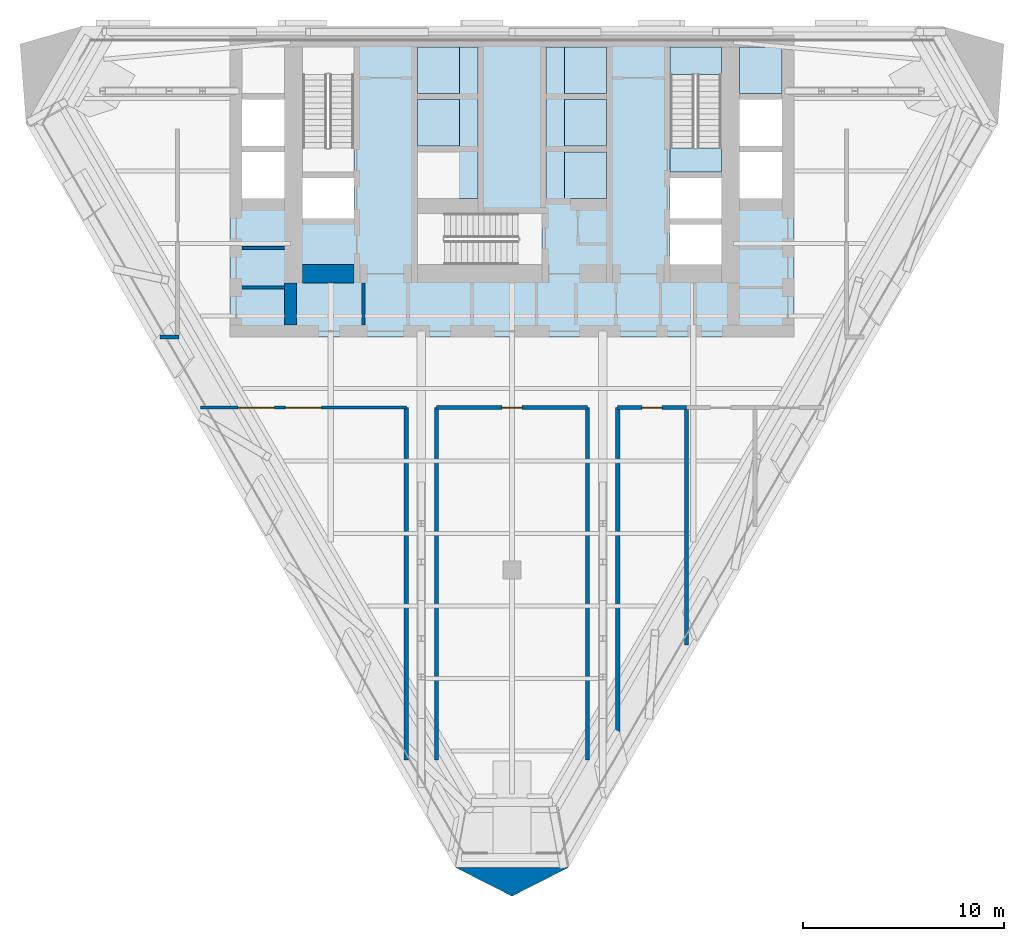
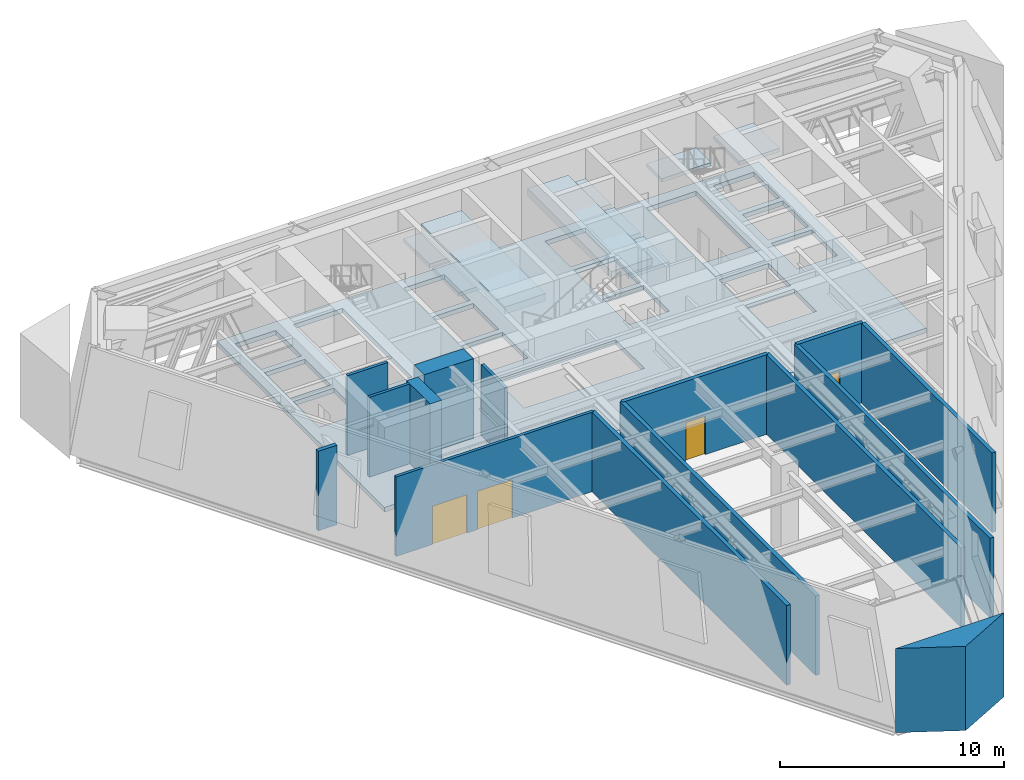
# One storey, part 3 of 12: 15 walls, 11 slabs, 4 doors, 4 openings, 1 element without a shape of its own.
"""IFC4 building model written with IfcOpenShell, lengths in metres."""

from ifc_helpers import new_model, si_unit, direction, frame, frame_2d, origin, place, context, subcontext, project, spatial, polyline, rectangle, outline, extrude, material, layer, layer_set, type_object, element, fill, aggregate, save


model = new_model("IFC4")

# Units and contexts
model_context = context("Model", 3, precision=1e-05, world=origin(), true_north=direction((0.0, 1.0)))
body_context = subcontext(model_context, "Body", "Model", "MODEL_VIEW")
ifc_project = project(units=[si_unit("LENGTHUNIT", "METRE"), si_unit("AREAUNIT", "SQUARE_METRE"), si_unit("VOLUMEUNIT", "CUBIC_METRE"), si_unit("PLANEANGLEUNIT", "RADIAN"), si_unit("MASSUNIT", "GRAM", prefix="KILO")], contexts=[model_context])

# Site, building, storey
site_placement = place(None, origin())
site = spatial("IfcSite", under=ifc_project, at=site_placement, CompositionType="ELEMENT")
building_placement = place(site_placement, origin())
building = spatial("IfcBuilding", under=site, at=building_placement, Name="Aloe Facet Convention Tower", CompositionType="ELEMENT")
storey_placement = place(building_placement, frame((0.0, 0.0, 123.800048828125)))
storey = spatial("IfcBuildingStorey", under=building, at=storey_placement, Name="L31", CompositionType="ELEMENT", Elevation=123.800048828125)

# Slabs
ifc_material_1 = material(Name="Concrete C70/85", Category="concrete")
ifc_layer_1 = layer(ifc_material_1, 0.25)
ifc_layer_set_1 = layer_set([ifc_layer_1], Name="CR-S-FLOOR250-C7085")
slab_type_1 = type_object("IfcSlabType", Name="CR-S-FLOOR250-C7085", PredefinedType="FLOOR", material=ifc_layer_set_1)
slab_1_placement = place(storey_placement, frame((0.0, 0.0, -0.25)))
element("IfcSlab", 1, at=slab_1_placement, inside=storey, type_object=slab_type_1, Name="Core floor L31", PredefinedType="FLOOR", context=body_context, shape_type="SweptSolid", body=[
    extrude(outline(polyline([(69.300048828125, 134.550048828125), (71.85009765625, 134.550048828125), (72.75, 134.550048828125), (74.699951171875, 134.550048828125), (75.60009765625, 134.550048828125), (78.0, 134.550048828125), (78.89990234375, 134.550048828125), (81.10009765625, 134.550048828125), (82.0, 134.550048828125), (84.39990234375, 134.550048828125), (85.300048828125, 134.550048828125), (87.25, 134.550048828125), (88.14990234375, 134.550048828125), (90.699951171875, 134.550048828125), (91.0, 134.550048828125), (94.0, 134.550048828125), (94.0, 131.949951171875), (94.0, 131.050048828125), (94.0, 129.35009765625), (94.0, 128.449951171875), (94.0, 126.449951171875), (94.0, 125.85009765625), (94.0, 124.5), (94.0, 123.449951171875), (94.0, 122.550048828125), (94.0, 121.5), (94.0, 119.550048828125), (90.699951171875, 119.550048828125), (89.60009765625, 119.550048828125), (88.550048828125, 119.550048828125), (87.89990234375, 119.550048828125), (86.85009765625, 119.550048828125), (85.699951171875, 119.550048828125), (84.64990234375, 119.550048828125), (83.699951171875, 119.550048828125), (82.64990234375, 119.550048828125), (81.75, 119.550048828125), (80.699951171875, 119.550048828125), (78.550048828125, 119.550048828125), (77.5, 119.550048828125), (75.35009765625, 119.550048828125), (74.300048828125, 119.550048828125), (73.14990234375, 119.550048828125), (72.10009765625, 119.550048828125), (69.300048828125, 119.550048828125), (66.0, 119.550048828125), (66.0, 121.5), (66.0, 122.550048828125), (66.0, 123.449951171875), (66.0, 124.5), (66.0, 125.85009765625), (66.0, 126.449951171875), (66.0, 128.449951171875), (66.0, 129.35009765625), (66.0, 131.050048828125), (66.0, 131.949951171875), (66.0, 134.550048828125), (69.0, 134.550048828125), (69.300048828125, 134.550048828125)]), holes=[polyline([(75.300048828125, 123.14990234375), (80.298828125, 123.14990234375), (81.5, 123.14990234375), (81.5, 125.699951171875), (80.298828125, 125.699951171875), (75.300048828125, 125.699951171875), (75.300048828125, 123.14990234375)]), polyline([(69.60009765625, 125.449951171875), (72.14990234375, 125.449951171875), (72.14990234375, 127.449951171875), (69.60009765625, 127.449951171875), (69.60009765625, 125.449951171875)]), polyline([(66.60009765625, 126.449951171875), (68.699951171875, 126.449951171875), (68.699951171875, 128.75), (66.60009765625, 128.75), (66.60009765625, 126.449951171875)]), polyline([(77.39990234375, 126.449951171875), (77.39990234375, 128.75), (75.300048828125, 128.75), (75.300048828125, 126.449951171875), (77.39990234375, 126.449951171875)]), polyline([(66.60009765625, 129.050048828125), (68.699951171875, 129.050048828125), (68.699951171875, 131.35009765625), (66.60009765625, 131.35009765625), (66.60009765625, 129.050048828125)]), polyline([(77.39990234375, 129.050048828125), (77.39990234375, 131.35009765625), (75.300048828125, 131.35009765625), (75.300048828125, 129.050048828125), (77.39990234375, 129.050048828125)]), polyline([(69.60009765625, 133.949951171875), (69.60009765625, 128.951171875), (69.60009765625, 127.75), (72.14990234375, 127.75), (72.14990234375, 128.951171875), (72.14990234375, 133.949951171875), (69.60009765625, 133.949951171875)]), polyline([(66.60009765625, 133.949951171875), (66.60009765625, 131.64990234375), (68.699951171875, 131.64990234375), (68.699951171875, 133.949951171875), (66.60009765625, 133.949951171875)]), polyline([(75.300048828125, 131.64990234375), (77.39990234375, 131.64990234375), (77.39990234375, 133.949951171875), (75.300048828125, 133.949951171875), (75.300048828125, 131.64990234375)]), polyline([(87.85009765625, 123.14990234375), (90.39990234375, 123.14990234375), (90.39990234375, 125.14990234375), (87.85009765625, 125.14990234375), (87.85009765625, 123.14990234375)]), polyline([(87.85009765625, 125.449951171875), (90.39990234375, 125.449951171875), (90.39990234375, 127.449951171875), (87.85009765625, 127.449951171875), (87.85009765625, 125.449951171875)]), polyline([(84.699951171875, 126.449951171875), (84.699951171875, 128.75), (82.60009765625, 128.75), (82.60009765625, 126.449951171875), (84.699951171875, 126.449951171875)]), polyline([(91.300048828125, 126.449951171875), (93.39990234375, 126.449951171875), (93.39990234375, 128.75), (91.300048828125, 128.75), (91.300048828125, 126.449951171875)]), polyline([(84.699951171875, 129.050048828125), (84.699951171875, 131.35009765625), (82.60009765625, 131.35009765625), (82.60009765625, 129.050048828125), (84.699951171875, 129.050048828125)]), polyline([(91.300048828125, 129.050048828125), (93.39990234375, 129.050048828125), (93.39990234375, 131.35009765625), (91.300048828125, 131.35009765625), (91.300048828125, 129.050048828125)]), polyline([(87.85009765625, 133.949951171875), (87.85009765625, 128.951171875), (87.85009765625, 127.75), (90.39990234375, 127.75), (90.39990234375, 128.951171875), (90.39990234375, 133.949951171875), (87.85009765625, 133.949951171875)]), polyline([(82.60009765625, 131.64990234375), (84.699951171875, 131.64990234375), (84.699951171875, 133.949951171875), (82.60009765625, 133.949951171875), (82.60009765625, 131.64990234375)]), polyline([(91.300048828125, 133.949951171875), (91.300048828125, 131.64990234375), (93.39990234375, 131.64990234375), (93.39990234375, 133.949951171875), (91.300048828125, 133.949951171875)])]), origin(), (0.0, 0.0, 1.0), 0.25),
])
ifc_material_2 = material(Name="Concrete C70/85", Category="concrete")
ifc_layer_2 = layer(ifc_material_2, 0.300048828125)
ifc_layer_set_2 = layer_set([ifc_layer_2], Name="CR-S-FLOOR300-C7085")
slab_type_2 = type_object("IfcSlabType", Name="CR-S-FLOOR300-C7085", PredefinedType="FLOOR", material=ifc_layer_set_2)
slab_2_placement = place(storey_placement, frame((0.0, 0.0, -0.300048828125)))
element("IfcSlab", 2, at=slab_2_placement, inside=storey, type_object=slab_type_2, Name="Stair landing floor L31", PredefinedType="FLOOR", context=body_context, shape_type="SweptSolid", body=[
    extrude(outline(polyline([(90.39990234375, 127.75), (90.39990234375, 128.951171875), (87.85009765625, 128.951171875), (87.85009765625, 127.75), (90.39990234375, 127.75)])), origin(), (0.0, 0.0, 1.0), 0.300048828125),
])
ifc_material_3 = material(Name="Concrete C70/85", Category="concrete")
ifc_layer_3 = layer(ifc_material_3, 0.199951171875)
ifc_layer_set_3 = layer_set([ifc_layer_3], Name="CR-S-LID200-C7085")
slab_type_3 = type_object("IfcSlabType", Name="CR-S-LID200-C7085", PredefinedType="ROOF", material=ifc_layer_set_3)
slab_3_placement = place(storey_placement, frame((0.0, 0.0, 2.5)))
element("IfcSlab", 3, at=slab_3_placement, inside=storey, type_object=slab_type_3, Name="Lift shaft lid A1", PredefinedType="ROOF", context=body_context, shape_type="SweptSolid", body=[
    extrude(outline(polyline([(77.401123046875, 133.951171875), (77.401123046875, 131.648681640625), (75.298828125, 131.648681640625), (75.298828125, 133.951171875), (77.401123046875, 133.951171875)])), origin(), (0.0, 0.0, 1.0), 0.199951171875),
])
slab_4_placement = place(storey_placement, frame((0.0, 0.0, 2.5)))
element("IfcSlab", 4, at=slab_4_placement, inside=storey, type_object=slab_type_3, Name="Lift shaft lid A2", PredefinedType="ROOF", context=body_context, shape_type="SweptSolid", body=[
    extrude(outline(polyline([(77.401123046875, 131.351318359375), (77.401123046875, 129.048828125), (75.298828125, 129.048828125), (75.298828125, 131.351318359375), (77.401123046875, 131.351318359375)])), origin(), (0.0, 0.0, 1.0), 0.199951171875),
])
slab_5_placement = place(storey_placement, frame((0.0, 0.0, 2.5)))
element("IfcSlab", 5, at=slab_5_placement, inside=storey, type_object=slab_type_3, Name="Lift shaft lid A4", PredefinedType="ROOF", context=body_context, shape_type="SweptSolid", body=[
    extrude(outline(polyline([(84.701171875, 133.951171875), (84.701171875, 131.648681640625), (82.598876953125, 131.648681640625), (82.598876953125, 133.951171875), (84.701171875, 133.951171875)])), origin(), (0.0, 0.0, 1.0), 0.199951171875),
])
slab_6_placement = place(storey_placement, frame((0.0, 0.0, 2.5)))
element("IfcSlab", 6, at=slab_6_placement, inside=storey, type_object=slab_type_3, Name="Lift shaft lid A5", PredefinedType="ROOF", context=body_context, shape_type="SweptSolid", body=[
    extrude(outline(polyline([(84.701171875, 131.351318359375), (84.701171875, 129.048828125), (82.598876953125, 129.048828125), (82.598876953125, 131.351318359375), (84.701171875, 131.351318359375)])), origin(), (0.0, 0.0, 1.0), 0.199951171875),
])
slab_7_placement = place(storey_placement, frame((0.0, 0.0, 2.5)))
element("IfcSlab", 7, at=slab_7_placement, inside=storey, type_object=slab_type_3, Name="Lift shaft lid A6", PredefinedType="ROOF", context=body_context, shape_type="SweptSolid", body=[
    extrude(outline(polyline([(84.701171875, 128.751220703125), (84.701171875, 126.44873046875), (82.598876953125, 126.44873046875), (82.598876953125, 128.751220703125), (84.701171875, 128.751220703125)])), origin(), (0.0, 0.0, 1.0), 0.199951171875),
])
slab_8_placement = place(storey_placement, frame((0.0, 0.0, 2.5)))
element("IfcSlab", 8, at=slab_8_placement, inside=storey, type_object=slab_type_3, Name="Lift shaft lid A8", PredefinedType="ROOF", context=body_context, shape_type="SweptSolid", body=[
    extrude(outline(polyline([(93.401123046875, 133.951171875), (93.401123046875, 131.648681640625), (91.298828125, 131.648681640625), (91.298828125, 133.951171875), (93.401123046875, 133.951171875)])), origin(), (0.0, 0.0, 1.0), 0.199951171875),
])
ifc_material_4 = material(Name="Concrete C60/75", Category="concrete")
ifc_layer_4 = layer(ifc_material_4, 0.39990234375)
ifc_layer_set_4 = layer_set([ifc_layer_4], Name="CR-S-PIT400-C6075")
slab_type_4 = type_object("IfcSlabType", Name="CR-S-PIT400-C6075", PredefinedType="BASESLAB", material=ifc_layer_set_4)
slab_9_placement = place(storey_placement, frame((0.0, 0.0, 2.800048828125)))
element("IfcSlab", 9, at=slab_9_placement, inside=storey, type_object=slab_type_4, Name="Lift pit slab B1-B3", PredefinedType="BASESLAB", context=body_context, shape_type="SweptSolid", body=[
    extrude(outline(polyline([(76.19873046875, 126.44873046875), (78.30126953125, 126.44873046875), (78.30126953125, 133.951171875), (76.19873046875, 133.951171875), (76.19873046875, 126.44873046875)])), origin(), (0.0, 0.0, 1.0), 0.39990234375),
])
slab_10_placement = place(storey_placement, frame((0.0, 0.0, 2.800048828125)))
element("IfcSlab", 10, at=slab_10_placement, inside=storey, type_object=slab_type_4, Name="Lift pit slab B4-B6", PredefinedType="BASESLAB", context=body_context, shape_type="SweptSolid", body=[
    extrude(outline(polyline([(81.69873046875, 126.44873046875), (83.80126953125, 126.44873046875), (83.80126953125, 133.951171875), (81.69873046875, 133.951171875), (81.69873046875, 126.44873046875)])), origin(), (0.0, 0.0, 1.0), 0.39990234375),
])

# Stair, slab
ifc_material_5 = material(Name="Concrete C50/60", Category="concrete")
stair_type = type_object("IfcStairType", Name="CR-ST-28R", PredefinedType="HALF_TURN_STAIR", material=ifc_material_5)
stair_placement = place(storey_placement, origin())
stair = element("IfcStair", 11, at=stair_placement, inside=storey, type_object=stair_type, Name="L31 Protected exit stair ST2", PredefinedType="HALF_TURN_STAIR")
ifc_material_6 = material(Name="Concrete C50/60", Category="concrete")
ifc_layer_5 = layer(ifc_material_6, 0.199951171875)
ifc_layer_set_5 = layer_set([ifc_layer_5], Name="CR-SL-LANDING")
slab_type_5 = type_object("IfcSlabType", Name="CR-SL-LANDING", PredefinedType="LANDING", material=ifc_layer_set_5)
slab_11_placement = place(storey_placement, frame((0.0, 0.0, 2.199951171875)))
slab_11 = element("IfcSlab", 12, at=slab_11_placement, type_object=slab_type_5, Name="ST2 landing 1", PredefinedType="LANDING", context=body_context, shape_type="SweptSolid", body=[
    extrude(outline(polyline([(90.39990234375, 132.590087890625), (90.39990234375, 133.949951171875), (87.85009765625, 133.949951171875), (87.85009765625, 132.590087890625), (90.39990234375, 132.590087890625)])), origin(), (0.0, 0.0, 1.0), 0.199951171875),
])
aggregate(stair, [slab_11])

# Walls
ifc_material_7 = material(Name="Concrete blockwork partition", Category="masonry")
ifc_layer_6 = layer(ifc_material_7, 0.14990234375)
ifc_layer_set_6 = layer_set([ifc_layer_6], Name="CR-W-PART150")
wall_type_1 = type_object("IfcWallType", Name="CR-W-PART150", PredefinedType="PARTITIONING", material=ifc_layer_set_6)
for number, where, z_axis, x_axis, name in (
    (13, (66.60009765625, 123.97509765625, 0.0), (0.0, 0.0, 1.0), (1.0, 0.0, 0.0), "Core partition L31-007"),
    (14, (66.60009765625, 122.02490234375, 0.0), (0.0, 0.0, 1.0), (1.0, 0.0, 0.0), "Core partition L31-008"),
):
    element("IfcWall", number, at=place(storey_placement, frame(where, z_axis=z_axis, x_axis=x_axis)), inside=storey, type_object=wall_type_1, Name=name, PredefinedType="PARTITIONING", context=body_context, shape_type="SweptSolid", body=[
        extrude(rectangle(XDim=2.099853515625, YDim=0.14990234375, at=frame_2d((1.0498046875, 0.0))), origin(), (0.0, 0.0, 1.0), 4.349853515625),
    ])
wall_1_placement = place(storey_placement, frame((72.625, 122.25, 0.0), z_axis=(0.0, 0.0, 1.0), x_axis=(0.0, -1.0, 0.0)))
element("IfcWall", 15, at=wall_1_placement, inside=storey, type_object=wall_type_1, Name="Core partition L31-017", PredefinedType="PARTITIONING", context=body_context, shape_type="SweptSolid", body=[
    extrude(rectangle(XDim=2.10009765625, YDim=0.14990234375, at=frame_2d((1.050048828125, 0.0))), origin(), (0.0, 0.0, 1.0), 3.889892578125),
])
ifc_material_8 = material(Name="Concrete C70/85", Category="concrete")
ifc_layer_7 = layer(ifc_material_8, 0.60009765625)
ifc_layer_set_7 = layer_set([ifc_layer_7], Name="CR-W-RC600-C7085")
wall_type_2 = type_object("IfcWallType", Name="CR-W-RC600-C7085", PredefinedType="SOLIDWALL", material=ifc_layer_set_7)
wall_2_placement = place(storey_placement, frame((69.0, 122.25, 0.0), z_axis=(0.0, 0.0, 1.0), x_axis=(0.0, -1.0, 0.0)))
element("IfcWall", 16, at=wall_2_placement, inside=storey, type_object=wall_type_2, Name="Core wall L31-010", PredefinedType="SOLIDWALL", context=body_context, shape_type="SweptSolid", body=[
    extrude(rectangle(XDim=2.10009765625, YDim=0.60009765625, at=frame_2d((1.050048828125, 0.0))), origin(), (0.0, 0.0, 1.0), 4.349853515625),
])
ifc_material_9 = material(Name="Concrete C70/85", Category="concrete")
ifc_layer_8 = layer(ifc_material_9, 0.89990234375)
ifc_layer_set_8 = layer_set([ifc_layer_8], Name="CR-W-RC900-C7085")
wall_type_3 = type_object("IfcWallType", Name="CR-W-RC900-C7085", PredefinedType="SOLIDWALL", material=ifc_layer_set_8)
wall_3_placement = place(storey_placement, frame((69.60009765625, 122.699951171875, 0.0), z_axis=(0.0, 0.0, 1.0), x_axis=(1.0, 0.0, 0.0)))
element("IfcWall", 17, at=wall_3_placement, inside=storey, type_object=wall_type_3, Name="Core wall L31-013", PredefinedType="SOLIDWALL", context=body_context, shape_type="SweptSolid", body=[
    extrude(rectangle(XDim=2.5498046875, YDim=0.89990234375, at=frame_2d((1.27490234375, 0.0))), origin(), (0.0, 0.0, 1.0), 4.349853515625),
])
ifc_material_10 = material(Name="Precast concrete C40/50", Category="concrete")
ifc_layer_9 = layer(ifc_material_10, 3.947998046875)
ifc_layer_set_9 = layer_set([ifc_layer_9], Name="EV-WALL-SPINE")
wall_type_4 = type_object("IfcWallType", Name="EV-WALL-SPINE", PredefinedType="SOLIDWALL", material=ifc_layer_set_9)
wall_4_placement = place(storey_placement, frame((0.0, 0.0, -0.25)))
element("IfcWall", 18, at=wall_4_placement, inside=storey, type_object=wall_type_4, Name="SP-S-L31", PredefinedType="SOLIDWALL", context=body_context, shape_type="SweptSolid", body=[
    extrude(outline(polyline([(77.199951171875, 93.22021484375), (80.0, 91.7978515625), (82.800048828125, 93.22021484375), (77.199951171875, 93.22021484375)])), origin(), (0.0, 0.0, 1.0), 4.599853515625),
])

# Wall, openings, doors
ifc_material_11 = material(Name="Gypsum board partition on steel studs, double layer", Category="steel")
ifc_layer_10 = layer(ifc_material_11, 0.14990234375)
ifc_layer_set_10 = layer_set([ifc_layer_10], Name="IN-POD-W-CORR")
wall_type_5 = type_object("IfcWallType", Name="IN-POD-W-CORR", PredefinedType="PARTITIONING", material=ifc_layer_set_10)
wall_5_placement = place(storey_placement, frame((64.538818359375, 116.050048828125, 0.0), z_axis=(0.0, 0.0, 1.0), x_axis=(1.0, 0.0, 0.0)))
wall_5 = element("IfcWall", 19, at=wall_5_placement, inside=storey, type_object=wall_type_5, Name="Partition L31-W003", PredefinedType="PARTITIONING", context=body_context, shape_type="SweptSolid", body=[
    extrude(rectangle(XDim=10.211181640625, YDim=0.14990234375, at=frame_2d((5.10546875, 0.0))), origin(), (0.0, 0.0, 1.0), 4.349853515625),
])
opening_1_placement = place(wall_5_placement, frame((4.20556640625, 0.0, 0.0)))
opening_1 = element("IfcOpeningElement", 20, at=opening_1_placement, cuts=wall_5, Name="Opening L31-003", PredefinedType="OPENING", context=body_context, shape_type="SweptSolid", body=[
    extrude(rectangle(XDim=1.800048828125, YDim=2.10009765625, at=frame_2d((0.89990234375, 1.050048828125))), frame((0.0, 0.0849609375, 0.0), z_axis=(0.0, -1.0, 0.0), x_axis=(1.0, 0.0, 0.0)), (0.0, 0.0, 1.0), 0.169921875),
])
opening_2_placement = place(wall_5_placement, frame((1.8623046875, 0.0, 0.0)))
opening_2 = element("IfcOpeningElement", 21, at=opening_2_placement, cuts=wall_5, Name="Opening L31-004", PredefinedType="OPENING", context=body_context, shape_type="SweptSolid", body=[
    extrude(rectangle(XDim=1.800048828125, YDim=2.10009765625, at=frame_2d((0.89990234375, 1.050048828125))), frame((0.0, 0.0849609375, 0.0), z_axis=(0.0, -1.0, 0.0), x_axis=(1.0, 0.0, 0.0)), (0.0, 0.0, 1.0), 0.169921875),
])
ifc_material_12 = material(Name="Hardwood flush door pair", Category="wood")
door_type_1 = type_object("IfcDoorType", Name="IN-POD-D-PAIR", OperationType="DOUBLE_DOOR_SINGLE_SWING", PredefinedType="DOOR", material=ifc_material_12)
door_1_placement = place(opening_1_placement, origin())
door_1 = element("IfcDoor", 22, at=door_1_placement, inside=storey, type_object=door_type_1, Name="Door L31-003", OperationType="SINGLE_SWING_LEFT", OverallHeight=2.10009765625, OverallWidth=1.800048828125, PredefinedType="DOOR", context=body_context, shape_type="SweptSolid", body=[
    extrude(rectangle(XDim=1.800048828125, YDim=2.10009765625, at=frame_2d((0.89990234375, 1.050048828125))), frame((0.0, 0.02490234375, 0.0), z_axis=(0.0, -1.0, 0.0), x_axis=(1.0, 0.0, 0.0)), (0.0, 0.0, 1.0), 0.050048828125),
])
fill(opening_1, door_1)
door_2_placement = place(opening_2_placement, origin())
door_2 = element("IfcDoor", 23, at=door_2_placement, inside=storey, type_object=door_type_1, Name="Door L31-004", OperationType="SINGLE_SWING_LEFT", OverallHeight=2.10009765625, OverallWidth=1.800048828125, PredefinedType="DOOR", context=body_context, shape_type="SweptSolid", body=[
    extrude(rectangle(XDim=1.800048828125, YDim=2.10009765625, at=frame_2d((0.89990234375, 1.050048828125))), frame((0.0, 0.02490234375, 0.0), z_axis=(0.0, -1.0, 0.0), x_axis=(1.0, 0.0, 0.0)), (0.0, 0.0, 1.0), 0.050048828125),
])
fill(opening_2, door_2)

# Wall
ifc_material_13 = material(Name="Masonry blockwork wall, plastered", Category="masonry")
ifc_layer_11 = layer(ifc_material_13, 0.199951171875)
ifc_layer_set_11 = layer_set([ifc_layer_11], Name="IN-POD-W-PLANT")
wall_type_6 = type_object("IfcWallType", Name="IN-POD-W-PLANT", PredefinedType="PARTITIONING", material=ifc_layer_set_11)
wall_6_placement = place(storey_placement, frame((88.65380859375, 104.25927734375, 0.0), z_axis=(0.0, 0.0, 1.0), x_axis=(0.0, 1.0, 0.0)))
element("IfcWall", 24, at=wall_6_placement, inside=storey, type_object=wall_type_6, Name="Partition L31-W001", PredefinedType="PARTITIONING", context=body_context, shape_type="SweptSolid", body=[
    extrude(rectangle(XDim=11.705810546875, YDim=0.199951171875, at=frame_2d((5.85302734375, 0.0))), origin(), (0.0, 0.0, 1.0), 4.349853515625),
])

# Wall, opening, door
wall_7_placement = place(storey_placement, frame((76.25, 116.050048828125, 0.0), z_axis=(0.0, 0.0, 1.0), x_axis=(1.0, 0.0, 0.0)))
wall_7 = element("IfcWall", 25, at=wall_7_placement, inside=storey, type_object=wall_type_6, Name="Partition L31-W004", PredefinedType="PARTITIONING", context=body_context, shape_type="SweptSolid", body=[
    extrude(rectangle(XDim=7.5, YDim=0.199951171875, at=frame_2d((3.75, 0.0))), origin(), (0.0, 0.0, 1.0), 4.349853515625),
])
opening_3_placement = place(wall_7_placement, frame((3.25, 0.0, 0.0)))
opening_3 = element("IfcOpeningElement", 26, at=opening_3_placement, cuts=wall_7, Name="Opening L31-005", PredefinedType="OPENING", context=body_context, shape_type="SweptSolid", body=[
    extrude(rectangle(XDim=1.0, YDim=2.10009765625, at=frame_2d((0.5, 1.050048828125))), frame((0.0, 0.10986328125, 0.0), z_axis=(0.0, -1.0, 0.0), x_axis=(1.0, 0.0, 0.0)), (0.0, 0.0, 1.0), 0.219970703125),
])
ifc_material_14 = material(Name="Steel flush door, galvanised", Category="steel")
door_type_2 = type_object("IfcDoorType", Name="IN-POD-D-PLANT", OperationType="SINGLE_SWING_LEFT", PredefinedType="DOOR", material=ifc_material_14)
door_3_placement = place(opening_3_placement, origin())
door_3 = element("IfcDoor", 27, at=door_3_placement, inside=storey, type_object=door_type_2, Name="Door L31-005", OperationType="SINGLE_SWING_LEFT", OverallHeight=2.10009765625, OverallWidth=1.0, PredefinedType="DOOR", context=body_context, shape_type="SweptSolid", body=[
    extrude(rectangle(XDim=1.0, YDim=2.10009765625, at=frame_2d((0.5, 1.050048828125))), frame((0.0, 0.02490234375, 0.0), z_axis=(0.0, -1.0, 0.0), x_axis=(1.0, 0.0, 0.0)), (0.0, 0.0, 1.0), 0.050048828125),
])
fill(opening_3, door_3)

wall_8_placement = place(storey_placement, frame((85.25, 116.050048828125, 0.0), z_axis=(0.0, 0.0, 1.0), x_axis=(1.0, 0.0, 0.0)))
wall_8 = element("IfcWall", 28, at=wall_8_placement, inside=storey, type_object=wall_type_6, Name="Partition L31-W005", PredefinedType="PARTITIONING", context=body_context, shape_type="SweptSolid", body=[
    extrude(rectangle(XDim=3.40380859375, YDim=0.199951171875, at=frame_2d((1.701904296875, 0.0))), origin(), (0.0, 0.0, 1.0), 4.349853515625),
])
opening_4_placement = place(wall_8_placement, frame((1.201904296875, 0.0, 0.0)))
opening_4 = element("IfcOpeningElement", 29, at=opening_4_placement, cuts=wall_8, Name="Opening L31-006", PredefinedType="OPENING", context=body_context, shape_type="SweptSolid", body=[
    extrude(rectangle(XDim=1.0, YDim=2.10009765625, at=frame_2d((0.5, 1.050048828125))), frame((0.0, 0.10986328125, 0.0), z_axis=(0.0, -1.0, 0.0), x_axis=(1.0, 0.0, 0.0)), (0.0, 0.0, 1.0), 0.219970703125),
])
door_4_placement = place(opening_4_placement, origin())
door_4 = element("IfcDoor", 30, at=door_4_placement, inside=storey, type_object=door_type_2, Name="Door L31-006", OperationType="SINGLE_SWING_LEFT", OverallHeight=2.10009765625, OverallWidth=1.0, PredefinedType="DOOR", context=body_context, shape_type="SweptSolid", body=[
    extrude(rectangle(XDim=1.0, YDim=2.10009765625, at=frame_2d((0.5, 1.050048828125))), frame((0.0, 0.02490234375, 0.0), z_axis=(0.0, -1.0, 0.0), x_axis=(1.0, 0.0, 0.0)), (0.0, 0.0, 1.0), 0.050048828125),
])
fill(opening_4, door_4)

# Walls
wall_9_placement = place(storey_placement, frame((62.51806640625, 119.550048828125, 0.0), z_axis=(0.0, 0.0, 1.0), x_axis=(1.0, 0.0, 0.0)))
element("IfcWall", 31, at=wall_9_placement, inside=storey, type_object=wall_type_6, Name="Partition L31-W008", PredefinedType="PARTITIONING", context=body_context, shape_type="SweptSolid", body=[
    extrude(rectangle(XDim=0.95703125, YDim=0.199951171875, at=frame_2d((0.478515625, 0.0))), origin(), (0.0, 0.0, 1.0), 4.349853515625),
])
for number, where, z_axis, x_axis, name in (
    (32, (74.75, 98.550048828125, 0.0), (0.0, 0.0, 1.0), (0.0, 1.0, 0.0), "Partition L31-X01"),
    (33, (76.25, 98.550048828125, 0.0), (0.0, 0.0, 1.0), (0.0, 1.0, 0.0), "Partition L31-X02"),
    (34, (83.75, 98.550048828125, 0.0), (0.0, 0.0, 1.0), (0.0, 1.0, 0.0), "Partition L31-X03"),
    (35, (85.25, 98.550048828125, 0.0), (0.0, 0.0, 1.0), (0.0, 1.0, 0.0), "Partition L31-X04"),
):
    element("IfcWall", number, at=place(storey_placement, frame(where, z_axis=z_axis, x_axis=x_axis)), inside=storey, type_object=wall_type_6, Name=name, PredefinedType="PARTITIONING", context=body_context, shape_type="SweptSolid", body=[
        extrude(rectangle(XDim=17.5, YDim=0.199951171875, at=frame_2d((8.75, 0.0))), origin(), (0.0, 0.0, 1.0), 4.349853515625),
    ])

save(model, "model.ifc")
